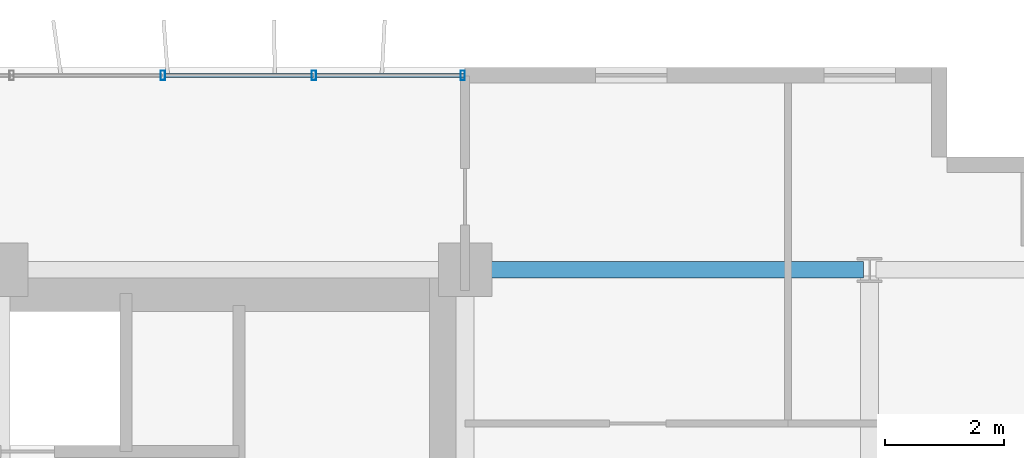
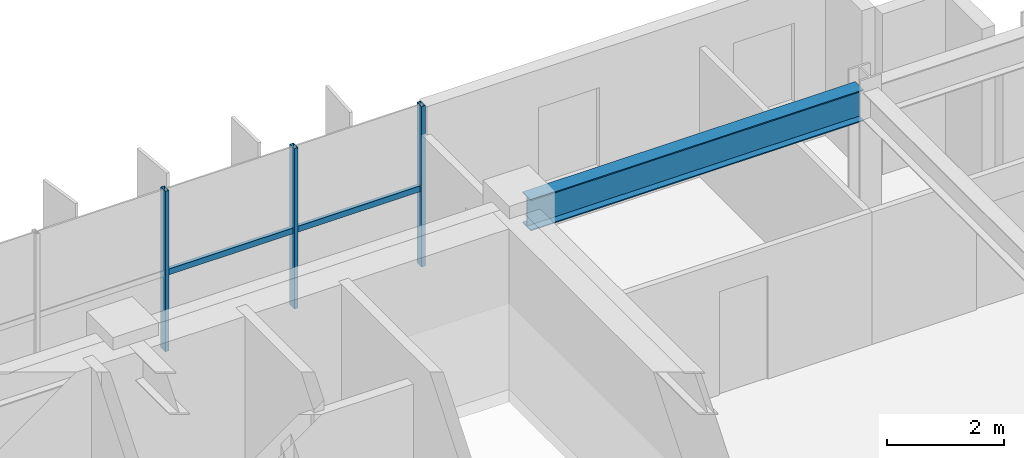
# One storey, part 12 of 24: 5 members, 1 beam, 1 element without a shape of its own.
"""IFC4 building model written with IfcOpenShell, lengths in metres."""

from ifc_helpers import new_model, si_unit, direction, frame, origin, origin_2d, place, context, subcontext, project, spatial, hollow_rectangle, i_section, extrude, source, transform, mapped, material, material_profile, profile_set, type_object, element, aggregate, save


model = new_model("IFC4")

# Units and contexts
model_context = context("Model", 3, precision=1e-05, world=origin(), true_north=direction((0.0, 1.0)))
body_context = subcontext(model_context, "Body", "Model", "MODEL_VIEW")
ifc_project = project(units=[si_unit("LENGTHUNIT", "METRE"), si_unit("AREAUNIT", "SQUARE_METRE"), si_unit("VOLUMEUNIT", "CUBIC_METRE"), si_unit("PLANEANGLEUNIT", "RADIAN"), si_unit("MASSUNIT", "GRAM", prefix="KILO")], contexts=[model_context])

# Site, building, storey
site_placement = place(None, origin())
site = spatial("IfcSite", under=ifc_project, at=site_placement, CompositionType="ELEMENT")
building_placement = place(site_placement, origin())
building = spatial("IfcBuilding", under=site, at=building_placement, Name="Trelvane Seafront Commons", CompositionType="ELEMENT")
storey_placement = place(building_placement, frame((0.0, 0.0, 27.10009765625)))
storey = spatial("IfcBuildingStorey", under=building, at=storey_placement, Name="L06", CompositionType="ELEMENT", Elevation=27.10009765625)

# Beam
ifc_material_1 = material(Name="Steel SM355 (S355)", Category="steel")
ifc_material_profile_1 = material_profile(ifc_material_1, i_section(OverallWidth=0.280029296875, OverallDepth=0.64990234375, WebThickness=0.012939453125, FlangeThickness=0.02197265625, at=origin_2d()), Name="H-650x280x13x22")
ifc_profile_set_1 = profile_set([ifc_material_profile_1], Name="Steel SM355 (S355)")
beam_type = type_object("IfcBeamType", Name="STR-BM-H650", PredefinedType="BEAM", material=ifc_profile_set_1)
shared_shape_1 = source(origin(), body_context, "Body", "SweptSolid", [
    extrude(i_section(OverallWidth=0.280029296875, OverallDepth=0.64990234375, WebThickness=0.012939453125, FlangeThickness=0.02197265625, at=origin_2d()), origin(), (0.0, 0.0, 1.0), 6.545166015625),
])
beam_placement = place(storey_placement, frame((58.949951171875, 45.10009765625, 3.014892578125), z_axis=(1.0, 0.0, 0.0), x_axis=(0.0, 1.0, 0.0)))
element("IfcBeam", 1, at=beam_placement, inside=storey, type_object=beam_type, Name="L06 Primary Girder G-35", PredefinedType="BEAM", context=body_context, shape_type="MappedRepresentation", body=[
    mapped(shared_shape_1, transform((0.0, 0.0, 0.0), x_axis=(1.0, 0.0, 0.0), y_axis=(0.0, 1.0, 0.0), z_axis=(0.0, 0.0, 1.0), scale=1.0)),
])

# Curtain wall, members
ifc_material_2 = material(Name="Anodised pale-silver aluminium", Category="aluminium")
curtain_wall_type = type_object("IfcCurtainWallType", Name="ARCH-CW2-LOWTOWER", PredefinedType="NOTDEFINED", material=ifc_material_2)
curtain_wall_placement = place(storey_placement, origin())
curtain_wall = element("IfcCurtainWall", 2, at=curtain_wall_placement, inside=storey, type_object=curtain_wall_type, Name="CW-L06-0030", PredefinedType="NOTDEFINED")
ifc_material_profile_2 = material_profile(ifc_material_2, hollow_rectangle(XDim=0.070068359375, YDim=0.1201171875, WallThickness=0.00390625, at=origin_2d()), Name="TRAN-70x120x4")
ifc_profile_set_2 = profile_set([ifc_material_profile_2], Name="Anodised pale-silver aluminium")
member_type_1 = type_object("IfcMemberType", Name="ARCH-CW-TRAN-120", PredefinedType="USERDEFINED", material=ifc_profile_set_2)
shared_shape_2 = source(origin(), body_context, "Body", "SweptSolid", [
    extrude(hollow_rectangle(XDim=0.070068359375, YDim=0.1201171875, WallThickness=0.00390625, at=origin_2d()), origin(), (0.0, 0.0, 1.0), 2.517333984375),
])
member_1_placement = place(storey_placement, frame((53.7294921875, 48.3701171875, 1.602783203125), z_axis=(1.0, 0.0, 0.0), x_axis=(0.0, 1.0, 0.0)))
member_1 = element("IfcMember", 3, at=member_1_placement, type_object=member_type_1, Name="CW-L06-0030-T15", ObjectType="TRANSOM", PredefinedType="USERDEFINED", context=body_context, shape_type="MappedRepresentation", body=[
    mapped(shared_shape_2, transform((0.0, 0.0, 0.0), x_axis=(1.0, 0.0, 0.0), y_axis=(0.0, 1.0, 0.0), z_axis=(0.0, 0.0, 1.0), scale=1.0)),
])
member_2_placement = place(storey_placement, frame((56.270751953125, 48.3701171875, 1.602783203125), z_axis=(1.0, 0.0, 0.0), x_axis=(0.0, 1.0, 0.0)))
member_2 = element("IfcMember", 4, at=member_2_placement, type_object=member_type_1, Name="CW-L06-0030-T16", ObjectType="TRANSOM", PredefinedType="USERDEFINED", context=body_context, shape_type="MappedRepresentation", body=[
    mapped(shared_shape_2, transform((0.0, 0.0, 0.0), x_axis=(1.0, 0.0, 0.0), y_axis=(0.0, 1.0, 0.0), z_axis=(0.0, 0.0, 1.0), scale=1.0)),
])
ifc_material_profile_3 = material_profile(ifc_material_2, hollow_rectangle(XDim=0.074951171875, YDim=0.159912109375, WallThickness=0.00390625, at=origin_2d()), Name="MULL-75x160x4")
ifc_profile_set_3 = profile_set([ifc_material_profile_3], Name="Anodised pale-silver aluminium")
member_type_2 = type_object("IfcMemberType", Name="ARCH-CW-MULL-160", PredefinedType="MULLION", material=ifc_profile_set_3)
shared_shape_3 = source(origin(), body_context, "Body", "SweptSolid", [
    extrude(hollow_rectangle(XDim=0.074951171875, YDim=0.159912109375, WallThickness=0.00390625, at=origin_2d()), origin(), (0.0, 0.0, 1.0), 3.33984375),
])
member_3_placement = place(storey_placement, frame((53.717529296875, 48.3701171875, 0.0), z_axis=(0.0, 0.0, 1.0), x_axis=(1.0, 0.0, 0.0)))
member_3 = element("IfcMember", 5, at=member_3_placement, type_object=member_type_2, Name="CW-L06-0030-M15", PredefinedType="MULLION", context=body_context, shape_type="MappedRepresentation", body=[
    mapped(shared_shape_3, transform((0.0, 0.0, 0.0), x_axis=(1.0, 0.0, 0.0), y_axis=(0.0, 1.0, 0.0), z_axis=(0.0, 0.0, 1.0), scale=1.0)),
])
member_4_placement = place(storey_placement, frame((56.2587890625, 48.3701171875, 0.0), z_axis=(0.0, 0.0, 1.0), x_axis=(1.0, 0.0, 0.0)))
member_4 = element("IfcMember", 6, at=member_4_placement, type_object=member_type_2, Name="CW-L06-0030-M16", PredefinedType="MULLION", context=body_context, shape_type="MappedRepresentation", body=[
    mapped(shared_shape_3, transform((0.0, 0.0, 0.0), x_axis=(1.0, 0.0, 0.0), y_axis=(0.0, 1.0, 0.0), z_axis=(0.0, 0.0, 1.0), scale=1.0)),
])
member_5_placement = place(storey_placement, frame((58.760009765625, 48.3701171875, 0.0), z_axis=(0.0, 0.0, 1.0), x_axis=(1.0, 0.0, 0.0)))
member_5 = element("IfcMember", 7, at=member_5_placement, type_object=member_type_2, Name="CW-L06-0030-M17", PredefinedType="MULLION", context=body_context, shape_type="MappedRepresentation", body=[
    mapped(shared_shape_3, transform((0.0, 0.0, 0.0), x_axis=(1.0, 0.0, 0.0), y_axis=(0.0, 1.0, 0.0), z_axis=(0.0, 0.0, 1.0), scale=1.0)),
])
aggregate(curtain_wall, [member_3, member_4, member_5, member_1, member_2])

save(model, "model.ifc")
